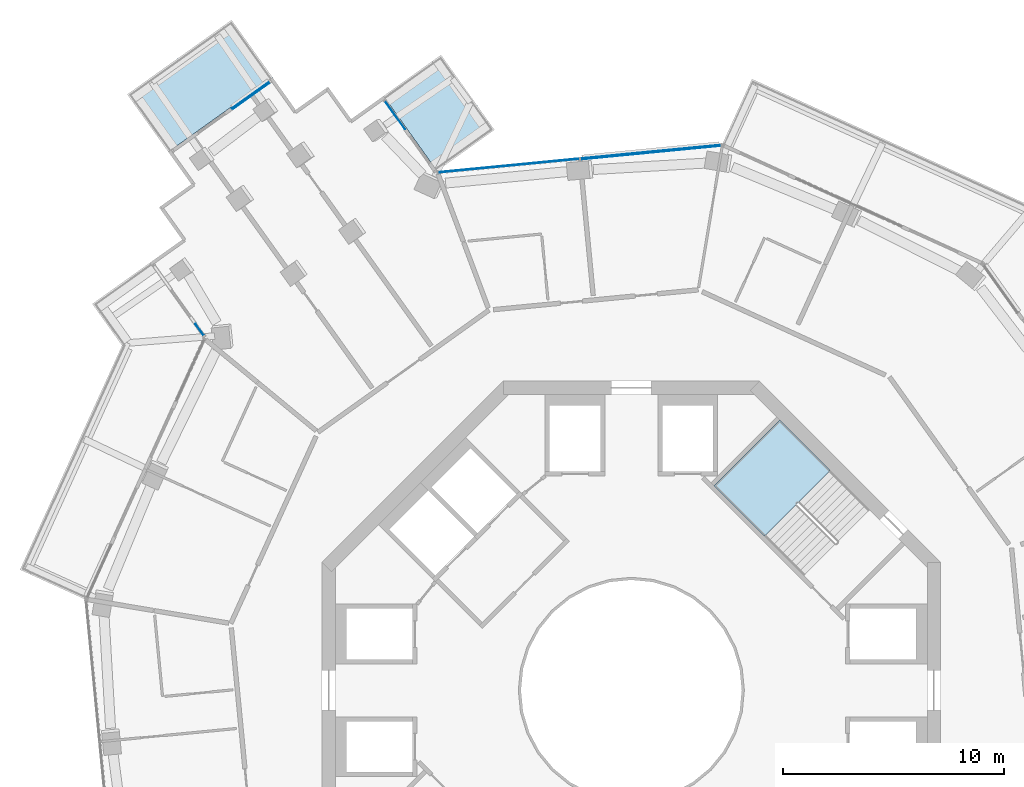
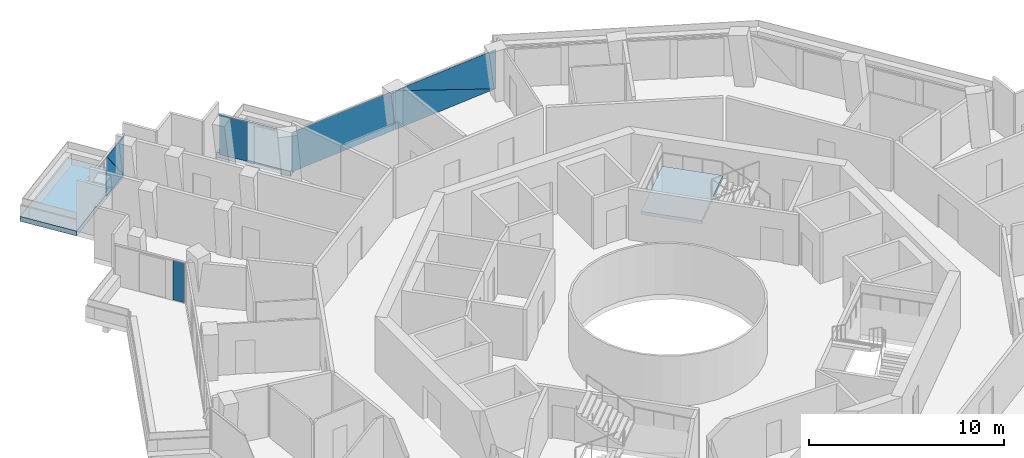
# One storey, part 13 of 22: 7 plates, 3 slabs, 5 elements without a shape of their own.
"""IFC4 building model written with IfcOpenShell, lengths in metres."""

import ifcopenshell
import ifcopenshell.guid

model = None  # the IFC model being written
_history = None  # IfcOwnerHistory: only IFC2X3 demands one
_inside = {}  # id of a spatial element -> (the spatial element, [elements in it])
_under = {}  # id of a project, library or spatial element -> (it, [spatial elements below it])
_declared = {}  # id of a project -> (the project, [libraries it declares])
_typed = {}  # id of a type object -> (the type object, [elements of that type])
_made_of = {}  # id of a material, layer set ... -> (it, [elements and type objects made of it])


def new_model(schema):
    """Start an empty IFC model of exactly this schema.

    Asked for "IFC4X3", IfcOpenShell would pick the latest addendum, in which some entities
    have other attributes; the version numbers below select the first issue.
    IFC2X3 requires an IfcOwnerHistory on every rooted entity: one is made here for all.
    """
    global model, _history
    if schema == "IFC4X3":
        model = ifcopenshell.file(schema_version=(4, 3, 0, 0))
    else:
        model = ifcopenshell.file(schema=schema)
    _inside.clear()
    _under.clear()
    _declared.clear()
    _typed.clear()
    _made_of.clear()
    _history = None
    if model.schema == "IFC2X3":
        org = make("IfcOrganization", Name="unknown")
        user = make(
            "IfcPersonAndOrganization",
            ThePerson=make("IfcPerson", FamilyName="unknown"),
            TheOrganization=org,
        )
        app = make(
            "IfcApplication",
            ApplicationDeveloper=org,
            Version="unknown",
            ApplicationFullName="unknown",
            ApplicationIdentifier="unknown",
        )
        _history = make(
            "IfcOwnerHistory",
            OwningUser=user,
            OwningApplication=app,
            ChangeAction="ADDED",
            CreationDate=0,
        )
    return model


def make(cls, **values):
    """One entity of the class cls with the attributes given. An attribute that is None is left unset."""
    return model.create_entity(
        cls, **{name: value for name, value in values.items() if value is not None}
    )


def rooted(cls, **values):
    """An entity with a GlobalId (a new one), such as an element, a storey or a relation."""
    return make(cls, GlobalId=ifcopenshell.guid.new(), OwnerHistory=_history, **values)


def si_unit(unit_type, name, prefix=None):
    """IfcSIUnit, for example si_unit("LENGTHUNIT", "METRE", prefix="MILLI")."""
    return make("IfcSIUnit", UnitType=unit_type, Prefix=prefix, Name=name)


def assignment(units):
    """IfcUnitAssignment: the units of a project."""
    return None if units is None else make("IfcUnitAssignment", Units=units)


def point(xyz):
    """IfcCartesianPoint."""
    return None if xyz is None else make("IfcCartesianPoint", Coordinates=xyz)


def direction(xyz):
    """IfcDirection."""
    return None if xyz is None else make("IfcDirection", DirectionRatios=xyz)


def frame(location, z_axis=None, x_axis=None):
    """IfcAxis2Placement3D, a coordinate frame: its origin and axes. An axis left out is left unset."""
    return make(
        "IfcAxis2Placement3D",
        Location=point(location),
        Axis=direction(z_axis),
        RefDirection=direction(x_axis),
    )


def frame_2d(location, x_axis=None):
    """IfcAxis2Placement2D, a coordinate frame in the plane: its origin and x axis."""
    return make(
        "IfcAxis2Placement2D", Location=point(location), RefDirection=direction(x_axis)
    )


def origin():
    """The frame at (0, 0, 0) with its axes left unset."""
    return frame((0.0, 0.0, 0.0))


def origin_2d():
    """The frame at (0, 0) in the plane with its x axis left unset."""
    return frame_2d((0.0, 0.0))


def place(relative_to, where):
    """IfcLocalPlacement: puts the frame where relative to a parent placement (None: the world)."""
    return make(
        "IfcLocalPlacement", PlacementRelTo=relative_to, RelativePlacement=where
    )


def context(
    kind, dimensions, precision=None, world=None, true_north=None, identifier=None
):
    """IfcGeometricRepresentationContext, for example the 3D "Model" context."""
    return make(
        "IfcGeometricRepresentationContext",
        ContextIdentifier=identifier,
        ContextType=kind,
        CoordinateSpaceDimension=dimensions,
        Precision=precision,
        WorldCoordinateSystem=world,
        TrueNorth=true_north,
    )


def subcontext(parent, identifier, kind, view, scale=None):
    """IfcGeometricRepresentationSubContext, for example "Body" below "Model"."""
    return make(
        "IfcGeometricRepresentationSubContext",
        ContextIdentifier=identifier,
        ContextType=kind,
        ParentContext=parent,
        TargetScale=scale,
        TargetView=view,
    )


def project(units=None, contexts=None):
    """IfcProject with its units and contexts."""
    return rooted(
        "IfcProject",
        Name="project",
        RepresentationContexts=contexts,
        UnitsInContext=assignment(units),
    )


def spatial(cls, under=None, at=None, **own):
    """A site, building, storey or space (cls), placed at a placement, below another one or the project."""
    s = rooted(cls, ObjectPlacement=at, **own)
    if under is not None:
        _under.setdefault(under.id(), (under, []))[1].append(s)
    return s


def polyline(points):
    """IfcPolyline through the points."""
    return make("IfcPolyline", Points=[point(p) for p in points])


def profile(cls, at=None, kind="AREA", **sizes):
    """A parametric profile (cls). Its sizes go by their IFC names, for example OverallWidth=200.0."""
    return make(cls, ProfileType=kind, Position=at, **sizes)


def rectangle(**sizes):
    """IfcRectangleProfileDef."""
    return profile("IfcRectangleProfileDef", **sizes)


def outline(outer, holes=None, kind="AREA"):
    """IfcArbitraryClosedProfileDef: a profile drawn as a closed curve; with holes, ...WithVoids."""
    if holes is None:
        return make("IfcArbitraryClosedProfileDef", ProfileType=kind, OuterCurve=outer)
    return make(
        "IfcArbitraryProfileDefWithVoids",
        ProfileType=kind,
        OuterCurve=outer,
        InnerCurves=holes,
    )


def extrude(swept, where, along, depth):
    """IfcExtrudedAreaSolid: the profile swept, set in the frame where, extruded along a direction by depth."""
    return make(
        "IfcExtrudedAreaSolid",
        SweptArea=swept,
        Position=where,
        ExtrudedDirection=direction(along),
        Depth=depth,
    )


def shape(context_of_items, identifier, shape_type, items):
    """IfcShapeRepresentation: the items that make up one representation, for example the "Body"."""
    return make(
        "IfcShapeRepresentation",
        ContextOfItems=context_of_items,
        RepresentationIdentifier=identifier,
        RepresentationType=shape_type,
        Items=items,
    )


def material(Name=None, Category=None):
    """IfcMaterial."""
    return make("IfcMaterial", Name=Name, Category=Category)


def layer(
    of_material, thickness, ventilated=None, Name=None, Category=None, Priority=None
):
    """IfcMaterialLayer: one layer of a wall or slab, of a material (None: an air gap)."""
    return make(
        "IfcMaterialLayer",
        Material=of_material,
        LayerThickness=thickness,
        IsVentilated=ventilated,
        Name=Name,
        Category=Category,
        Priority=Priority,
    )


def layer_set(layers, Name=None):
    """IfcMaterialLayerSet."""
    return make("IfcMaterialLayerSet", MaterialLayers=layers, LayerSetName=Name)


def made_of(thing, what):
    """Note that an element or type object is made of a material, layer set ...; save() writes the relation."""
    if what is not None:
        _made_of.setdefault(what.id(), (what, []))[1].append(thing)
    return thing


def type_object(cls, material=None, **own):
    """A type object (cls), such as IfcWallType, which elements share."""
    return made_of(rooted(cls, **own), material)


def element(
    cls,
    number,
    at=None,
    inside=None,
    cuts=None,
    type_object=None,
    material=None,
    context=None,
    identifier="Body",
    shape_type=None,
    held_by="IfcProductDefinitionShape",
    body=None,
    shapes=None,
    **own,
):
    """One element of the class cls, such as IfcWall. Its Tag is "e" and its number.

    at: its placement. inside: the storey or other place that contains it. cuts: it is an
    opening in that element (IfcRelVoidsElement). A single representation is given by context,
    identifier, shape_type and body (its items); several are given by shapes. held_by: the class
    of the entity that holds the representations. save() writes the other relations.
    """
    e = rooted(cls, Tag="e%d" % number, ObjectPlacement=at, **own)
    if body is not None:
        shapes = [shape(context, identifier, shape_type, body)]
    if shapes is not None:
        e.Representation = make(held_by, Representations=shapes)
    if inside is not None:
        _inside.setdefault(inside.id(), (inside, []))[1].append(e)
    if cuts is not None:
        rooted(
            "IfcRelVoidsElement", RelatingBuildingElement=cuts, RelatedOpeningElement=e
        )
    if type_object is not None:
        _typed.setdefault(type_object.id(), (type_object, []))[1].append(e)
    return made_of(e, material)


def aggregate(whole, parts):
    """IfcRelAggregates: a whole, such as a stair, and the parts it consists of."""
    return rooted("IfcRelAggregates", RelatingObject=whole, RelatedObjects=parts)


def save(model, path):
    """Write the relations noted so far, then the file.

    IfcRelAggregates (storeys below a building ...), IfcRelContainedInSpatialStructure (elements
    in a storey), IfcRelDefinesByType, IfcRelAssociatesMaterial and IfcRelDeclares: one each for
    every whole, place, type object, material and project.
    """
    for whole, parts in _under.values():
        aggregate(whole, parts)
    for where, things in _inside.values():
        rooted(
            "IfcRelContainedInSpatialStructure",
            RelatedElements=things,
            RelatingStructure=where,
        )
    for kind, things in _typed.values():
        rooted("IfcRelDefinesByType", RelatedObjects=things, RelatingType=kind)
    for what, things in _made_of.values():
        rooted("IfcRelAssociatesMaterial", RelatedObjects=things, RelatingMaterial=what)
    for by, libraries in _declared.values():
        rooted("IfcRelDeclares", RelatingContext=by, RelatedDefinitions=libraries)
    model.write(path)


model = new_model("IFC4")

# Units and contexts
model_context = context("Model", 3, precision=1e-05, world=origin(), true_north=direction((0.0, 1.0)))
body_context = subcontext(model_context, "Body", "Model", "MODEL_VIEW")
ifc_project = project(units=[si_unit("LENGTHUNIT", "METRE"), si_unit("AREAUNIT", "SQUARE_METRE"), si_unit("VOLUMEUNIT", "CUBIC_METRE"), si_unit("PLANEANGLEUNIT", "RADIAN"), si_unit("MASSUNIT", "GRAM", prefix="KILO")], contexts=[model_context])

# Site, building, storey
site_placement = place(None, origin())
site = spatial("IfcSite", under=ifc_project, at=site_placement, CompositionType="ELEMENT")
building_placement = place(site_placement, origin())
building = spatial("IfcBuilding", under=site, at=building_placement, Name="Verdalira Terraces Hotel", CompositionType="ELEMENT")
storey_placement = place(building_placement, frame((0.0, 0.0, 180.0)))
storey = spatial("IfcBuildingStorey", under=building, at=storey_placement, Name="L43", CompositionType="ELEMENT", Elevation=180.0)

# Slabs
ifc_material_1 = material(Name="Precast concrete C40/50", Category="concrete")
ifc_layer_1 = layer(ifc_material_1, 0.31005859375)
ifc_layer_set_1 = layer_set([ifc_layer_1], Name="Balcony deck 310")
slab_type_1 = type_object("IfcSlabType", Name="Balcony deck 310", PredefinedType="FLOOR", material=ifc_layer_set_1)
slab_1_placement = place(storey_placement, frame((0.0, 0.0, -0.310059)))
element("IfcSlab", 1, at=slab_1_placement, inside=storey, type_object=slab_type_1, Name="Balcony deck", PredefinedType="FLOOR", context=body_context, shape_type="SweptSolid", body=[
    extrude(outline(polyline([(-22.825195, 26.984619), (-20.966064, 24.380127), (-16.245361, 27.749756), (-18.104492, 30.354248), (-22.825195, 26.984619)])), origin(), (0.0, 0.0, 1.0), 0.310059),
])
slab_2_placement = place(storey_placement, frame((0.0, 0.0, -0.310059)))
element("IfcSlab", 2, at=slab_2_placement, inside=storey, type_object=slab_type_1, Name="Balcony deck", PredefinedType="FLOOR", context=body_context, shape_type="SweptSolid", body=[
    extrude(outline(polyline([(-8.619141, 28.770264), (-11.223633, 26.911133), (-8.803223, 23.520508), (-6.19873, 25.379639), (-8.619141, 28.770264)])), origin(), (0.0, 0.0, 1.0), 0.310059),
])

# Curtain wall, plates
ifc_material_2 = material(Name="Clear glass", Category="glass")
ifc_layer_2 = layer(ifc_material_2, 0.14990234375)
ifc_layer_set_2 = layer_set([ifc_layer_2], Name="CW1 curtain wall")
curtain_wall_type_1 = type_object("IfcCurtainWallType", Name="CW1 curtain wall", PredefinedType="NOTDEFINED", material=ifc_layer_set_2)
curtain_wall_1_placement = place(storey_placement, origin())
curtain_wall_1 = element("IfcCurtainWall", 3, at=curtain_wall_1_placement, inside=storey, type_object=curtain_wall_type_1, Name="CW1 curtain wall L43 edge 41", PredefinedType="NOTDEFINED")
ifc_material_3 = material(Name="Clear glass", Category="glass")
ifc_layer_3 = layer(ifc_material_3, 0.028076171875)
ifc_layer_set_3 = layer_set([ifc_layer_3], Name="CW1 glass unit 28")
plate_type_1 = type_object("IfcPlateType", Name="CW1 glass unit 28", PredefinedType="CURTAIN_PANEL", material=ifc_layer_set_3)
plate_1_placement = place(storey_placement, frame((0.875244, 24.366455, 1.237549), z_axis=(-0.096193205, 0.995362681, 0.0), x_axis=(-0.995362681, -0.096193205, 0.0)))
plate_1 = element("IfcPlate", 4, at=plate_1_placement, type_object=plate_type_1, Name="CW1 glass unit", PredefinedType="CURTAIN_PANEL", context=body_context, shape_type="SweptSolid", body=[
    extrude(outline(polyline([(-3.185059, -1.237549), (3.185059, -1.237549), (3.185059, 1.237549), (-3.185059, -1.237549)])), origin(), (0.0, 0.0, 1.0), 0.028076),
])
plate_2_placement = place(storey_placement, frame((0.87793, 24.337402, 1.237549), z_axis=(-0.096193205, 0.995362681, 0.0), x_axis=(-0.995362681, -0.096193205, 0.0)))
plate_2 = element("IfcPlate", 5, at=plate_2_placement, type_object=plate_type_1, Name="CW1 glass unit", PredefinedType="CURTAIN_PANEL", context=body_context, shape_type="SweptSolid", body=[
    extrude(outline(polyline([(-3.185059, -1.237549), (3.185059, 1.237549), (-3.185059, 1.237549), (-3.185059, -1.237549)])), origin(), (0.0, 0.0, 1.0), 0.028076),
])
plate_3_placement = place(storey_placement, frame((-5.546387, 23.76001, 0.0), z_axis=(0.0, 0.0, 1.0), x_axis=(-0.995362681, -0.096193205, 0.0)))
plate_3 = element("IfcPlate", 6, at=plate_3_placement, type_object=plate_type_1, Name="CW1 glass unit", PredefinedType="CURTAIN_PANEL", context=body_context, shape_type="SweptSolid", body=[
    extrude(rectangle(XDim=6.409912, YDim=0.028076, at=origin_2d()), origin(), (0.0, 0.0, 1.0), 2.475098),
])
aggregate(curtain_wall_1, [plate_1, plate_2, plate_3])

# Curtain wall, plate
ifc_material_4 = material(Name="Clear glass", Category="glass")
ifc_layer_4 = layer(ifc_material_4, 0.14990234375)
ifc_layer_set_4 = layer_set([ifc_layer_4], Name="CW2 curtain wall")
curtain_wall_type_2 = type_object("IfcCurtainWallType", Name="CW2 curtain wall", PredefinedType="NOTDEFINED", material=ifc_layer_set_4)
curtain_wall_2_placement = place(storey_placement, origin())
curtain_wall_2 = element("IfcCurtainWall", 7, at=curtain_wall_2_placement, inside=storey, type_object=curtain_wall_type_2, Name="CW2 curtain wall L43 edge 0", PredefinedType="NOTDEFINED")
ifc_material_5 = material(Name="Clear glass", Category="glass")
ifc_layer_5 = layer(ifc_material_5, 0.031982421875)
ifc_layer_set_5 = layer_set([ifc_layer_5], Name="CW2 glass unit 32")
plate_type_2 = type_object("IfcPlateType", Name="CW2 glass unit 32", PredefinedType="CURTAIN_PANEL", material=ifc_layer_set_5)
plate_4_placement = place(storey_placement, frame((-10.700195, 26.048828, 0.0), z_axis=(0.0, 0.0, 1.0), x_axis=(-0.5809871, 0.813912765, 0.0)))
plate_4 = element("IfcPlate", 8, at=plate_4_placement, type_object=plate_type_2, Name="CW2 glass unit", PredefinedType="CURTAIN_PANEL", context=body_context, shape_type="SweptSolid", body=[
    extrude(rectangle(XDim=1.572266, YDim=0.031982, at=origin_2d()), origin(), (0.0, 0.0, 1.0), 2.475098),
])
aggregate(curtain_wall_2, [plate_4])

curtain_wall_3_placement = place(storey_placement, origin())
curtain_wall_3 = element("IfcCurtainWall", 9, at=curtain_wall_3_placement, inside=storey, type_object=curtain_wall_type_2, Name="CW2 curtain wall L43 edge 10", PredefinedType="NOTDEFINED")
plate_5_placement = place(storey_placement, frame((-19.55127, 16.331055, 0.0), z_axis=(0.0, 0.0, 1.0), x_axis=(0.5809871, -0.813912765, 0.0)))
plate_5 = element("IfcPlate", 10, at=plate_5_placement, type_object=plate_type_2, Name="CW2 glass unit", PredefinedType="CURTAIN_PANEL", context=body_context, shape_type="SweptSolid", body=[
    extrude(rectangle(XDim=0.645508, YDim=0.031982, at=origin_2d()), origin(), (0.0, 0.0, 1.0), 2.475098),
])
aggregate(curtain_wall_3, [plate_5])

# Curtain wall, plates
ifc_material_6 = material(Name="Clear glass", Category="glass")
ifc_layer_6 = layer(ifc_material_6, 0.14990234375)
ifc_layer_set_6 = layer_set([ifc_layer_6], Name="CW3 curtain wall")
curtain_wall_type_3 = type_object("IfcCurtainWallType", Name="CW3 curtain wall", PredefinedType="NOTDEFINED", material=ifc_layer_set_6)
curtain_wall_4_placement = place(storey_placement, origin())
curtain_wall_4 = element("IfcCurtainWall", 11, at=curtain_wall_4_placement, inside=storey, type_object=curtain_wall_type_3, Name="CW3 curtain wall L43 edge 5", PredefinedType="NOTDEFINED")
ifc_material_7 = material(Name="Clear glass", Category="glass")
ifc_layer_7 = layer(ifc_material_7, 0.035888671875)
ifc_layer_set_7 = layer_set([ifc_layer_7], Name="CW3 glass unit 36")
plate_type_3 = type_object("IfcPlateType", Name="CW3 glass unit 36", PredefinedType="CURTAIN_PANEL", material=ifc_layer_set_7)
plate_6_placement = place(storey_placement, frame((-17.224854, 26.936279, 1.237549), z_axis=(-0.5809871, 0.813912765, 0.0), x_axis=(-0.813912765, -0.5809871, 0.0)))
plate_6 = element("IfcPlate", 12, at=plate_6_placement, type_object=plate_type_3, Name="CW3 glass unit", PredefinedType="CURTAIN_PANEL", context=body_context, shape_type="SweptSolid", body=[
    extrude(outline(polyline([(-1.040039, -1.237549), (1.040039, -1.237549), (1.040039, 1.237549), (-1.040039, -1.237549)])), origin(), (0.0, 0.0, 1.0), 0.035889),
])
plate_7_placement = place(storey_placement, frame((-17.203369, 26.906006, 1.237549), z_axis=(-0.5809871, 0.813912765, 0.0), x_axis=(-0.813912765, -0.5809871, 0.0)))
plate_7 = element("IfcPlate", 13, at=plate_7_placement, type_object=plate_type_3, Name="CW3 glass unit", PredefinedType="CURTAIN_PANEL", context=body_context, shape_type="SweptSolid", body=[
    extrude(outline(polyline([(-1.040039, -1.237549), (1.040039, 1.237549), (-1.040039, 1.237549), (-1.040039, -1.237549)])), origin(), (0.0, 0.0, 1.0), 0.035889),
])
aggregate(curtain_wall_4, [plate_6, plate_7])

# Stair, slab
ifc_material_8 = material(Name="Concrete C40", Category="concrete")
stair_type = type_object("IfcStairType", Name="Core stair 20 risers 2050 mm wide", PredefinedType="HALF_TURN_STAIR", material=ifc_material_8)
stair_placement = place(storey_placement, origin())
stair = element("IfcStair", 14, at=stair_placement, inside=storey, type_object=stair_type, Name="L43 Exit stair ST1", PredefinedType="HALF_TURN_STAIR")
ifc_material_9 = material(Name="Concrete C40", Category="concrete")
ifc_layer_8 = layer(ifc_material_9, 0.199951171875)
ifc_layer_set_8 = layer_set([ifc_layer_8], Name="Core stair landing 200 mm")
slab_type_2 = type_object("IfcSlabType", Name="Core stair landing 200 mm", PredefinedType="LANDING", material=ifc_layer_set_8)
slab_3_placement = place(storey_placement, frame((0.0, 0.0, 1.550049)))
slab_3 = element("IfcSlab", 15, at=slab_3_placement, type_object=slab_type_2, Name="ST1 landing 1", PredefinedType="LANDING", context=body_context, shape_type="SweptSolid", body=[
    extrude(outline(polyline([(9.001709, 9.94873), (6.717529, 12.23291), (3.747559, 9.263184), (6.031982, 6.97876), (9.001709, 9.94873)])), origin(), (0.0, 0.0, 1.0), 0.199951),
])
aggregate(stair, [slab_3])

save(model, "model.ifc")
